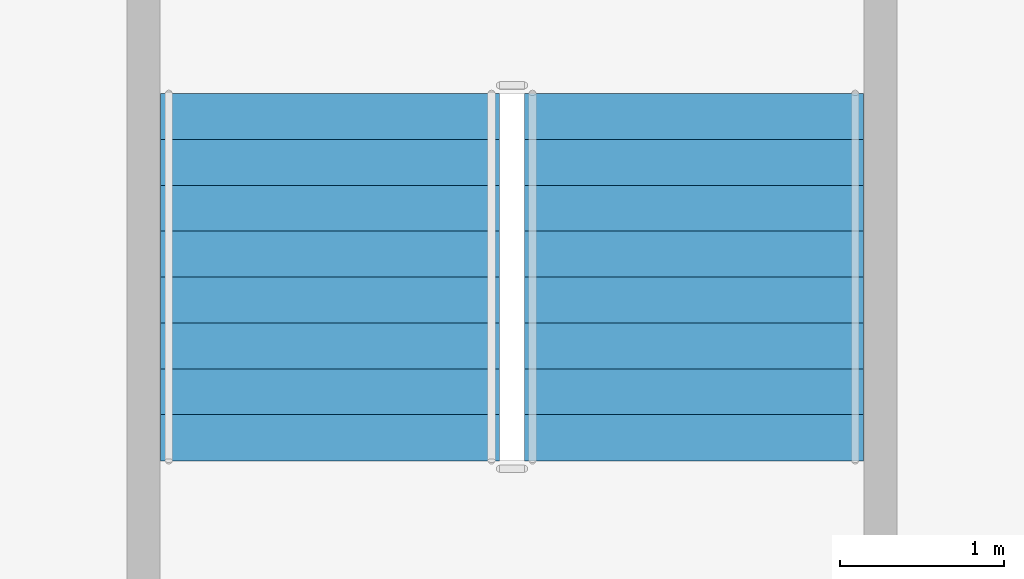
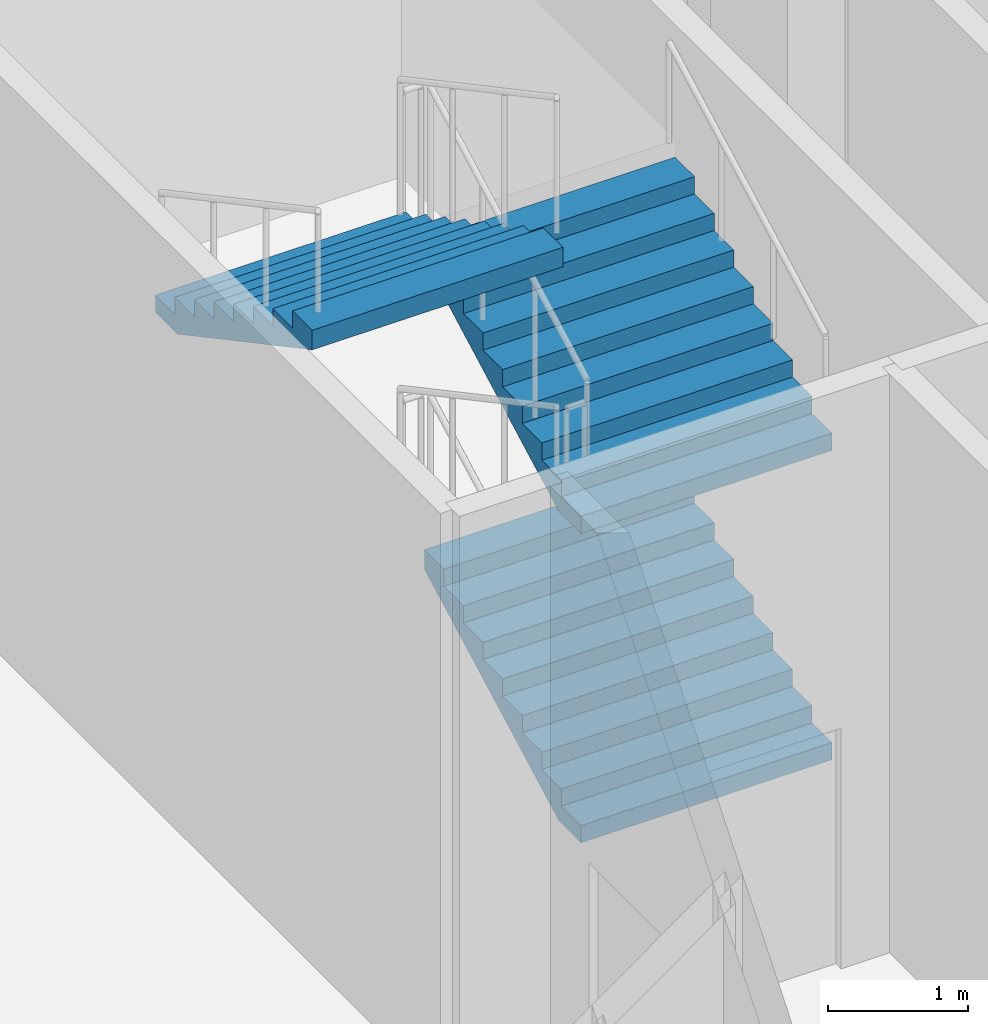
# One storey, part 13 of 27: 3 stair flights, 1 element without a shape of its own.
"""IFC4 building model written with IfcOpenShell, lengths in metres."""

from ifc_helpers import new_model, si_unit, direction, frame, origin, place, context, subcontext, project, spatial, polygons, material, type_object, element, aggregate, save


model = new_model("IFC4")

# Units and contexts
model_context = context("Model", 3, precision=1e-05, world=origin(), true_north=direction((0.0, 1.0)))
body_context = subcontext(model_context, "Body", "Model", "MODEL_VIEW")
ifc_project = project(units=[si_unit("LENGTHUNIT", "METRE"), si_unit("AREAUNIT", "SQUARE_METRE"), si_unit("VOLUMEUNIT", "CUBIC_METRE"), si_unit("PLANEANGLEUNIT", "RADIAN"), si_unit("MASSUNIT", "GRAM", prefix="KILO")], contexts=[model_context])

# Site, building, storey
site_placement = place(None, origin())
site = spatial("IfcSite", under=ifc_project, at=site_placement, CompositionType="ELEMENT")
building_placement = place(site_placement, origin())
building = spatial("IfcBuilding", under=site, at=building_placement, Name="Caravel Reach Hotel and Residences", CompositionType="ELEMENT")
storey_placement = place(building_placement, frame((0.0, 0.0, 6.60009765625)))
storey = spatial("IfcBuildingStorey", under=building, at=storey_placement, Name="L01", CompositionType="ELEMENT", Elevation=6.60009765625)

# Stair, stair flights
ifc_material_1 = material(Name="Concrete C40", Category="concrete")
stair_type = type_object("IfcStairType", Name="Core stair", PredefinedType="HALF_TURN_STAIR", material=ifc_material_1)
stair_placement = place(storey_placement, origin())
stair = element("IfcStair", 1, at=stair_placement, inside=storey, type_object=stair_type, Name="L01 Exit stair P4", PredefinedType="HALF_TURN_STAIR")
ifc_material_2 = material(Name="Concrete C40", Category="concrete")
stair_flight_type = type_object("IfcStairFlightType", Name="Core stair flight", PredefinedType="STRAIGHT", material=ifc_material_2)
stair_flight_1_placement = place(storey_placement, frame((55.110107421875, 13.68994140625, 0.0), z_axis=(0.0, 0.0, 1.0), x_axis=(0.0, 1.0, 0.0)))
stair_flight_1 = element("IfcStairFlight", 2, at=stair_flight_1_placement, type_object=stair_flight_type, Name="ST-P4 flight 1", NumberOfRisers=9, NumberOfTreads=8, PredefinedType="STRAIGHT", RiserHeight=0.15, TreadLength=0.28, context=body_context, shape_type="Tessellation", body=[
    polygons([(0.3174408016601864, 1.0350341796875, 0.0), (0.3174408016601864, 0.6900227864583333, 0.0), (0.3174408016601864, 0.34501139322916663, 0.0), (0.3174408016601864, 0.0, 0.0), (0.3174408016601864, -0.34501139322916674, 0.0), (0.3174408016601864, -0.6900227864583333, 0.0), (0.3174408016601864, -1.0350341796875, 0.0), (2.241, 1.0350341796875, 1.029942427682043), (2.241, 0.6900227864583333, 1.029942427682043), (2.241, 0.34501139322916663, 1.029942427682043), (2.241, 0.0, 1.029942427682043), (2.241, -0.34501139322916674, 1.029942427682043), (2.241, -0.6900227864583333, 1.029942427682043), (2.241, -1.0350341796875, 1.029942427682043), (2.241, 1.0350341796875, 1.2), (2.241, 0.6900227864583333, 1.2), (2.241, 0.34501139322916663, 1.2), (2.241, 0.0, 1.2), (2.241, -0.34501139322916674, 1.2), (2.241, -0.6900227864583333, 1.2), (2.241, -1.0350341796875, 1.2), (1.9600000000000002, 1.0350341796875, 1.2), (1.9600000000000002, 0.6900227864583333, 1.2), (1.9600000000000002, 0.34501139322916663, 1.2), (1.9600000000000002, 0.0, 1.2), (1.9600000000000002, -0.34501139322916674, 1.2), (1.9600000000000002, -0.6900227864583333, 1.2), (1.9600000000000002, -1.0350341796875, 1.2), (1.9600000000000002, 1.0350341796875, 1.05), (1.9600000000000002, 0.6900227864583333, 1.05), (1.9600000000000002, 0.34501139322916663, 1.05), (1.9600000000000002, 0.0, 1.05), (1.9600000000000002, -0.34501139322916674, 1.05), (1.9600000000000002, -0.6900227864583333, 1.05), (1.9600000000000002, -1.0350341796875, 1.05), (1.6800000000000002, 1.0350341796875, 1.05), (1.6800000000000002, 0.6900227864583333, 1.05), (1.6800000000000002, 0.34501139322916663, 1.05), (1.6800000000000002, 0.0, 1.05), (1.6800000000000002, -0.34501139322916674, 1.05), (1.6800000000000002, -0.6900227864583333, 1.05), (1.6800000000000002, -1.0350341796875, 1.05), (1.6800000000000002, 1.0350341796875, 0.8999999999999999), (1.6800000000000002, 0.6900227864583333, 0.8999999999999999), (1.6800000000000002, 0.34501139322916663, 0.8999999999999999), (1.6800000000000002, 0.0, 0.8999999999999999), (1.6800000000000002, -0.34501139322916674, 0.8999999999999999), (1.6800000000000002, -0.6900227864583333, 0.8999999999999999), (1.6800000000000002, -1.0350341796875, 0.8999999999999999), (1.4000000000000001, 1.0350341796875, 0.8999999999999999), (1.4000000000000001, 0.6900227864583333, 0.8999999999999999), (1.4000000000000001, 0.34501139322916663, 0.8999999999999999), (1.4000000000000001, 0.0, 0.8999999999999999), (1.4000000000000001, -0.34501139322916674, 0.8999999999999999), (1.4000000000000001, -0.6900227864583333, 0.8999999999999999), (1.4000000000000001, -1.0350341796875, 0.8999999999999999), (1.4000000000000001, 1.0350341796875, 0.75), (1.4000000000000001, 0.6900227864583333, 0.75), (1.4000000000000001, 0.34501139322916663, 0.75), (1.4000000000000001, 0.0, 0.75), (1.4000000000000001, -0.34501139322916674, 0.75), (1.4000000000000001, -0.6900227864583333, 0.75), (1.4000000000000001, -1.0350341796875, 0.75), (1.12, 1.0350341796875, 0.75), (1.12, 0.6900227864583333, 0.75), (1.12, 0.34501139322916663, 0.75), (1.12, 0.0, 0.75), (1.12, -0.34501139322916674, 0.75), (1.12, -0.6900227864583333, 0.75), (1.12, -1.0350341796875, 0.75), (1.12, 1.0350341796875, 0.6), (1.12, 0.6900227864583333, 0.6), (1.12, 0.34501139322916663, 0.6), (1.12, 0.0, 0.6), (1.12, -0.34501139322916674, 0.6), (1.12, -0.6900227864583333, 0.6), (1.12, -1.0350341796875, 0.6), (0.8400000000000001, 1.0350341796875, 0.6), (0.8400000000000001, 0.6900227864583333, 0.6), (0.8400000000000001, 0.34501139322916663, 0.6), (0.8400000000000001, 0.0, 0.6), (0.8400000000000001, -0.34501139322916674, 0.6), (0.8400000000000001, -0.6900227864583333, 0.6), (0.8400000000000001, -1.0350341796875, 0.6), (0.8400000000000001, 1.0350341796875, 0.44999999999999996), (0.8400000000000001, 0.6900227864583333, 0.44999999999999996), (0.8400000000000001, 0.34501139322916663, 0.44999999999999996), (0.8400000000000001, 0.0, 0.44999999999999996), (0.8400000000000001, -0.34501139322916674, 0.44999999999999996), (0.8400000000000001, -0.6900227864583333, 0.44999999999999996), (0.8400000000000001, -1.0350341796875, 0.44999999999999996), (0.56, 1.0350341796875, 0.44999999999999996), (0.56, 0.6900227864583333, 0.44999999999999996), (0.56, 0.34501139322916663, 0.44999999999999996), (0.56, 0.0, 0.44999999999999996), (0.56, -0.34501139322916674, 0.44999999999999996), (0.56, -0.6900227864583333, 0.44999999999999996), (0.56, -1.0350341796875, 0.44999999999999996), (0.56, 1.0350341796875, 0.3), (0.56, 0.6900227864583333, 0.3), (0.56, 0.34501139322916663, 0.3), (0.56, 0.0, 0.3), (0.56, -0.34501139322916674, 0.3), (0.56, -0.6900227864583333, 0.3), (0.56, -1.0350341796875, 0.3), (0.28, 1.0350341796875, 0.3), (0.28, 0.6900227864583333, 0.3), (0.28, 0.34501139322916663, 0.3), (0.28, 0.0, 0.3), (0.28, -0.34501139322916674, 0.3), (0.28, -0.6900227864583333, 0.3), (0.28, -1.0350341796875, 0.3), (0.28, 1.0350341796875, 0.15), (0.28, 0.6900227864583333, 0.15), (0.28, 0.34501139322916663, 0.15), (0.28, 0.0, 0.15), (0.28, -0.34501139322916674, 0.15), (0.28, -0.6900227864583333, 0.15), (0.28, -1.0350341796875, 0.15), (-0.001, 1.0350341796875, 0.15), (-0.001, 0.6900227864583333, 0.15), (-0.001, 0.34501139322916663, 0.15), (-0.001, 0.0, 0.15), (-0.001, -0.34501139322916674, 0.15), (-0.001, -0.6900227864583333, 0.15), (-0.001, -1.0350341796875, 0.15), (-0.001, 1.0350341796875, 0.0), (-0.001, 0.6900227864583333, 0.0), (-0.001, 0.34501139322916663, 0.0), (-0.001, 0.0, 0.0), (-0.001, -0.34501139322916674, 0.0), (-0.001, -0.6900227864583333, 0.0), (-0.001, -1.0350341796875, 0.0)], [[[127, 120, 113, 106, 99, 92, 85, 78, 71, 64, 57, 50, 43, 36, 29, 22, 15, 8, 1]], [[7, 14, 21, 28, 35, 42, 49, 56, 63, 70, 77, 84, 91, 98, 105, 112, 119, 126, 133]], [[1, 8, 9, 2]], [[2, 9, 10, 3]], [[3, 10, 11, 4]], [[4, 11, 12, 5]], [[5, 12, 13, 6]], [[6, 13, 14, 7]], [[8, 15, 16, 9]], [[9, 16, 17, 10]], [[10, 17, 18, 11]], [[11, 18, 19, 12]], [[12, 19, 20, 13]], [[13, 20, 21, 14]], [[15, 22, 23, 16]], [[16, 23, 24, 17]], [[17, 24, 25, 18]], [[18, 25, 26, 19]], [[19, 26, 27, 20]], [[20, 27, 28, 21]], [[22, 29, 30, 23]], [[23, 30, 31, 24]], [[24, 31, 32, 25]], [[25, 32, 33, 26]], [[26, 33, 34, 27]], [[27, 34, 35, 28]], [[29, 36, 37, 30]], [[30, 37, 38, 31]], [[31, 38, 39, 32]], [[32, 39, 40, 33]], [[33, 40, 41, 34]], [[34, 41, 42, 35]], [[36, 43, 44, 37]], [[37, 44, 45, 38]], [[38, 45, 46, 39]], [[39, 46, 47, 40]], [[40, 47, 48, 41]], [[41, 48, 49, 42]], [[43, 50, 51, 44]], [[44, 51, 52, 45]], [[45, 52, 53, 46]], [[46, 53, 54, 47]], [[47, 54, 55, 48]], [[48, 55, 56, 49]], [[50, 57, 58, 51]], [[51, 58, 59, 52]], [[52, 59, 60, 53]], [[53, 60, 61, 54]], [[54, 61, 62, 55]], [[55, 62, 63, 56]], [[57, 64, 65, 58]], [[58, 65, 66, 59]], [[59, 66, 67, 60]], [[60, 67, 68, 61]], [[61, 68, 69, 62]], [[62, 69, 70, 63]], [[64, 71, 72, 65]], [[65, 72, 73, 66]], [[66, 73, 74, 67]], [[67, 74, 75, 68]], [[68, 75, 76, 69]], [[69, 76, 77, 70]], [[71, 78, 79, 72]], [[72, 79, 80, 73]], [[73, 80, 81, 74]], [[74, 81, 82, 75]], [[75, 82, 83, 76]], [[76, 83, 84, 77]], [[78, 85, 86, 79]], [[79, 86, 87, 80]], [[80, 87, 88, 81]], [[81, 88, 89, 82]], [[82, 89, 90, 83]], [[83, 90, 91, 84]], [[85, 92, 93, 86]], [[86, 93, 94, 87]], [[87, 94, 95, 88]], [[88, 95, 96, 89]], [[89, 96, 97, 90]], [[90, 97, 98, 91]], [[92, 99, 100, 93]], [[93, 100, 101, 94]], [[94, 101, 102, 95]], [[95, 102, 103, 96]], [[96, 103, 104, 97]], [[97, 104, 105, 98]], [[99, 106, 107, 100]], [[100, 107, 108, 101]], [[101, 108, 109, 102]], [[102, 109, 110, 103]], [[103, 110, 111, 104]], [[104, 111, 112, 105]], [[106, 113, 114, 107]], [[107, 114, 115, 108]], [[108, 115, 116, 109]], [[109, 116, 117, 110]], [[110, 117, 118, 111]], [[111, 118, 119, 112]], [[113, 120, 121, 114]], [[114, 121, 122, 115]], [[115, 122, 123, 116]], [[116, 123, 124, 117]], [[117, 124, 125, 118]], [[118, 125, 126, 119]], [[120, 127, 128, 121]], [[121, 128, 129, 122]], [[122, 129, 130, 123]], [[123, 130, 131, 124]], [[124, 131, 132, 125]], [[125, 132, 133, 126]], [[127, 1, 2, 128]], [[128, 2, 3, 129]], [[129, 3, 4, 130]], [[130, 4, 5, 131]], [[131, 5, 6, 132]], [[132, 6, 7, 133]]], closed=True),
])
stair_flight_2_placement = place(storey_placement, frame((55.110107421875, 13.68994140625, 2.699951171875), z_axis=(0.0, 0.0, 1.0), x_axis=(0.0, 1.0, 0.0)))
stair_flight_2 = element("IfcStairFlight", 3, at=stair_flight_2_placement, type_object=stair_flight_type, Name="ST-P4 flight 3", NumberOfRisers=9, NumberOfTreads=8, PredefinedType="STRAIGHT", RiserHeight=0.15, TreadLength=0.28, context=body_context, shape_type="Tessellation", body=[
    polygons([(0.3174408016601864, 1.0350341796875, 0.0), (0.3174408016601864, 0.6900227864583333, 0.0), (0.3174408016601864, 0.34501139322916663, 0.0), (0.3174408016601864, 0.0, 0.0), (0.3174408016601864, -0.34501139322916674, 0.0), (0.3174408016601864, -0.6900227864583333, 0.0), (0.3174408016601864, -1.0350341796875, 0.0), (2.241, 1.0350341796875, 1.029942427682043), (2.241, 0.6900227864583333, 1.029942427682043), (2.241, 0.34501139322916663, 1.029942427682043), (2.241, 0.0, 1.029942427682043), (2.241, -0.34501139322916674, 1.029942427682043), (2.241, -0.6900227864583333, 1.029942427682043), (2.241, -1.0350341796875, 1.029942427682043), (2.241, 1.0350341796875, 1.2), (2.241, 0.6900227864583333, 1.2), (2.241, 0.34501139322916663, 1.2), (2.241, 0.0, 1.2), (2.241, -0.34501139322916674, 1.2), (2.241, -0.6900227864583333, 1.2), (2.241, -1.0350341796875, 1.2), (1.9600000000000002, 1.0350341796875, 1.2), (1.9600000000000002, 0.6900227864583333, 1.2), (1.9600000000000002, 0.34501139322916663, 1.2), (1.9600000000000002, 0.0, 1.2), (1.9600000000000002, -0.34501139322916674, 1.2), (1.9600000000000002, -0.6900227864583333, 1.2), (1.9600000000000002, -1.0350341796875, 1.2), (1.9600000000000002, 1.0350341796875, 1.05), (1.9600000000000002, 0.6900227864583333, 1.05), (1.9600000000000002, 0.34501139322916663, 1.05), (1.9600000000000002, 0.0, 1.05), (1.9600000000000002, -0.34501139322916674, 1.05), (1.9600000000000002, -0.6900227864583333, 1.05), (1.9600000000000002, -1.0350341796875, 1.05), (1.6800000000000002, 1.0350341796875, 1.05), (1.6800000000000002, 0.6900227864583333, 1.05), (1.6800000000000002, 0.34501139322916663, 1.05), (1.6800000000000002, 0.0, 1.05), (1.6800000000000002, -0.34501139322916674, 1.05), (1.6800000000000002, -0.6900227864583333, 1.05), (1.6800000000000002, -1.0350341796875, 1.05), (1.6800000000000002, 1.0350341796875, 0.8999999999999999), (1.6800000000000002, 0.6900227864583333, 0.8999999999999999), (1.6800000000000002, 0.34501139322916663, 0.8999999999999999), (1.6800000000000002, 0.0, 0.8999999999999999), (1.6800000000000002, -0.34501139322916674, 0.8999999999999999), (1.6800000000000002, -0.6900227864583333, 0.8999999999999999), (1.6800000000000002, -1.0350341796875, 0.8999999999999999), (1.4000000000000001, 1.0350341796875, 0.8999999999999999), (1.4000000000000001, 0.6900227864583333, 0.8999999999999999), (1.4000000000000001, 0.34501139322916663, 0.8999999999999999), (1.4000000000000001, 0.0, 0.8999999999999999), (1.4000000000000001, -0.34501139322916674, 0.8999999999999999), (1.4000000000000001, -0.6900227864583333, 0.8999999999999999), (1.4000000000000001, -1.0350341796875, 0.8999999999999999), (1.4000000000000001, 1.0350341796875, 0.75), (1.4000000000000001, 0.6900227864583333, 0.75), (1.4000000000000001, 0.34501139322916663, 0.75), (1.4000000000000001, 0.0, 0.75), (1.4000000000000001, -0.34501139322916674, 0.75), (1.4000000000000001, -0.6900227864583333, 0.75), (1.4000000000000001, -1.0350341796875, 0.75), (1.12, 1.0350341796875, 0.75), (1.12, 0.6900227864583333, 0.75), (1.12, 0.34501139322916663, 0.75), (1.12, 0.0, 0.75), (1.12, -0.34501139322916674, 0.75), (1.12, -0.6900227864583333, 0.75), (1.12, -1.0350341796875, 0.75), (1.12, 1.0350341796875, 0.6), (1.12, 0.6900227864583333, 0.6), (1.12, 0.34501139322916663, 0.6), (1.12, 0.0, 0.6), (1.12, -0.34501139322916674, 0.6), (1.12, -0.6900227864583333, 0.6), (1.12, -1.0350341796875, 0.6), (0.8400000000000001, 1.0350341796875, 0.6), (0.8400000000000001, 0.6900227864583333, 0.6), (0.8400000000000001, 0.34501139322916663, 0.6), (0.8400000000000001, 0.0, 0.6), (0.8400000000000001, -0.34501139322916674, 0.6), (0.8400000000000001, -0.6900227864583333, 0.6), (0.8400000000000001, -1.0350341796875, 0.6), (0.8400000000000001, 1.0350341796875, 0.44999999999999996), (0.8400000000000001, 0.6900227864583333, 0.44999999999999996), (0.8400000000000001, 0.34501139322916663, 0.44999999999999996), (0.8400000000000001, 0.0, 0.44999999999999996), (0.8400000000000001, -0.34501139322916674, 0.44999999999999996), (0.8400000000000001, -0.6900227864583333, 0.44999999999999996), (0.8400000000000001, -1.0350341796875, 0.44999999999999996), (0.56, 1.0350341796875, 0.44999999999999996), (0.56, 0.6900227864583333, 0.44999999999999996), (0.56, 0.34501139322916663, 0.44999999999999996), (0.56, 0.0, 0.44999999999999996), (0.56, -0.34501139322916674, 0.44999999999999996), (0.56, -0.6900227864583333, 0.44999999999999996), (0.56, -1.0350341796875, 0.44999999999999996), (0.56, 1.0350341796875, 0.3), (0.56, 0.6900227864583333, 0.3), (0.56, 0.34501139322916663, 0.3), (0.56, 0.0, 0.3), (0.56, -0.34501139322916674, 0.3), (0.56, -0.6900227864583333, 0.3), (0.56, -1.0350341796875, 0.3), (0.28, 1.0350341796875, 0.3), (0.28, 0.6900227864583333, 0.3), (0.28, 0.34501139322916663, 0.3), (0.28, 0.0, 0.3), (0.28, -0.34501139322916674, 0.3), (0.28, -0.6900227864583333, 0.3), (0.28, -1.0350341796875, 0.3), (0.28, 1.0350341796875, 0.15), (0.28, 0.6900227864583333, 0.15), (0.28, 0.34501139322916663, 0.15), (0.28, 0.0, 0.15), (0.28, -0.34501139322916674, 0.15), (0.28, -0.6900227864583333, 0.15), (0.28, -1.0350341796875, 0.15), (-0.001, 1.0350341796875, 0.15), (-0.001, 0.6900227864583333, 0.15), (-0.001, 0.34501139322916663, 0.15), (-0.001, 0.0, 0.15), (-0.001, -0.34501139322916674, 0.15), (-0.001, -0.6900227864583333, 0.15), (-0.001, -1.0350341796875, 0.15), (-0.001, 1.0350341796875, 0.0), (-0.001, 0.6900227864583333, 0.0), (-0.001, 0.34501139322916663, 0.0), (-0.001, 0.0, 0.0), (-0.001, -0.34501139322916674, 0.0), (-0.001, -0.6900227864583333, 0.0), (-0.001, -1.0350341796875, 0.0)], [[[127, 120, 113, 106, 99, 92, 85, 78, 71, 64, 57, 50, 43, 36, 29, 22, 15, 8, 1]], [[7, 14, 21, 28, 35, 42, 49, 56, 63, 70, 77, 84, 91, 98, 105, 112, 119, 126, 133]], [[1, 8, 9, 2]], [[2, 9, 10, 3]], [[3, 10, 11, 4]], [[4, 11, 12, 5]], [[5, 12, 13, 6]], [[6, 13, 14, 7]], [[8, 15, 16, 9]], [[9, 16, 17, 10]], [[10, 17, 18, 11]], [[11, 18, 19, 12]], [[12, 19, 20, 13]], [[13, 20, 21, 14]], [[15, 22, 23, 16]], [[16, 23, 24, 17]], [[17, 24, 25, 18]], [[18, 25, 26, 19]], [[19, 26, 27, 20]], [[20, 27, 28, 21]], [[22, 29, 30, 23]], [[23, 30, 31, 24]], [[24, 31, 32, 25]], [[25, 32, 33, 26]], [[26, 33, 34, 27]], [[27, 34, 35, 28]], [[29, 36, 37, 30]], [[30, 37, 38, 31]], [[31, 38, 39, 32]], [[32, 39, 40, 33]], [[33, 40, 41, 34]], [[34, 41, 42, 35]], [[36, 43, 44, 37]], [[37, 44, 45, 38]], [[38, 45, 46, 39]], [[39, 46, 47, 40]], [[40, 47, 48, 41]], [[41, 48, 49, 42]], [[43, 50, 51, 44]], [[44, 51, 52, 45]], [[45, 52, 53, 46]], [[46, 53, 54, 47]], [[47, 54, 55, 48]], [[48, 55, 56, 49]], [[50, 57, 58, 51]], [[51, 58, 59, 52]], [[52, 59, 60, 53]], [[53, 60, 61, 54]], [[54, 61, 62, 55]], [[55, 62, 63, 56]], [[57, 64, 65, 58]], [[58, 65, 66, 59]], [[59, 66, 67, 60]], [[60, 67, 68, 61]], [[61, 68, 69, 62]], [[62, 69, 70, 63]], [[64, 71, 72, 65]], [[65, 72, 73, 66]], [[66, 73, 74, 67]], [[67, 74, 75, 68]], [[68, 75, 76, 69]], [[69, 76, 77, 70]], [[71, 78, 79, 72]], [[72, 79, 80, 73]], [[73, 80, 81, 74]], [[74, 81, 82, 75]], [[75, 82, 83, 76]], [[76, 83, 84, 77]], [[78, 85, 86, 79]], [[79, 86, 87, 80]], [[80, 87, 88, 81]], [[81, 88, 89, 82]], [[82, 89, 90, 83]], [[83, 90, 91, 84]], [[85, 92, 93, 86]], [[86, 93, 94, 87]], [[87, 94, 95, 88]], [[88, 95, 96, 89]], [[89, 96, 97, 90]], [[90, 97, 98, 91]], [[92, 99, 100, 93]], [[93, 100, 101, 94]], [[94, 101, 102, 95]], [[95, 102, 103, 96]], [[96, 103, 104, 97]], [[97, 104, 105, 98]], [[99, 106, 107, 100]], [[100, 107, 108, 101]], [[101, 108, 109, 102]], [[102, 109, 110, 103]], [[103, 110, 111, 104]], [[104, 111, 112, 105]], [[106, 113, 114, 107]], [[107, 114, 115, 108]], [[108, 115, 116, 109]], [[109, 116, 117, 110]], [[110, 117, 118, 111]], [[111, 118, 119, 112]], [[113, 120, 121, 114]], [[114, 121, 122, 115]], [[115, 122, 123, 116]], [[116, 123, 124, 117]], [[117, 124, 125, 118]], [[118, 125, 126, 119]], [[120, 127, 128, 121]], [[121, 128, 129, 122]], [[122, 129, 130, 123]], [[123, 130, 131, 124]], [[124, 131, 132, 125]], [[125, 132, 133, 126]], [[127, 1, 2, 128]], [[128, 2, 3, 129]], [[129, 3, 4, 130]], [[130, 4, 5, 131]], [[131, 5, 6, 132]], [[132, 6, 7, 133]]], closed=True),
])
stair_flight_3_placement = place(storey_placement, frame((52.889892578125, 15.929931640625, 4.0498046875), z_axis=(0.0, 0.0, 1.0), x_axis=(0.0, -1.0, 0.0)))
stair_flight_3 = element("IfcStairFlight", 4, at=stair_flight_3_placement, type_object=stair_flight_type, Name="ST-P4 flight 4", NumberOfRisers=9, NumberOfTreads=8, PredefinedType="STRAIGHT", RiserHeight=0.15, TreadLength=0.28, context=body_context, shape_type="Tessellation", body=[
    polygons([(0.3174408016601864, 1.0350341796875, 0.0), (0.3174408016601864, 0.6900227864583333, 0.0), (0.3174408016601864, 0.34501139322916663, 0.0), (0.3174408016601864, 0.0, 0.0), (0.3174408016601864, -0.34501139322916674, 0.0), (0.3174408016601864, -0.6900227864583333, 0.0), (0.3174408016601864, -1.0350341796875, 0.0), (2.241, 1.0350341796875, 1.029942427682043), (2.241, 0.6900227864583333, 1.029942427682043), (2.241, 0.34501139322916663, 1.029942427682043), (2.241, 0.0, 1.029942427682043), (2.241, -0.34501139322916674, 1.029942427682043), (2.241, -0.6900227864583333, 1.029942427682043), (2.241, -1.0350341796875, 1.029942427682043), (2.241, 1.0350341796875, 1.2), (2.241, 0.6900227864583333, 1.2), (2.241, 0.34501139322916663, 1.2), (2.241, 0.0, 1.2), (2.241, -0.34501139322916674, 1.2), (2.241, -0.6900227864583333, 1.2), (2.241, -1.0350341796875, 1.2), (1.9600000000000002, 1.0350341796875, 1.2), (1.9600000000000002, 0.6900227864583333, 1.2), (1.9600000000000002, 0.34501139322916663, 1.2), (1.9600000000000002, 0.0, 1.2), (1.9600000000000002, -0.34501139322916674, 1.2), (1.9600000000000002, -0.6900227864583333, 1.2), (1.9600000000000002, -1.0350341796875, 1.2), (1.9600000000000002, 1.0350341796875, 1.05), (1.9600000000000002, 0.6900227864583333, 1.05), (1.9600000000000002, 0.34501139322916663, 1.05), (1.9600000000000002, 0.0, 1.05), (1.9600000000000002, -0.34501139322916674, 1.05), (1.9600000000000002, -0.6900227864583333, 1.05), (1.9600000000000002, -1.0350341796875, 1.05), (1.6800000000000002, 1.0350341796875, 1.05), (1.6800000000000002, 0.6900227864583333, 1.05), (1.6800000000000002, 0.34501139322916663, 1.05), (1.6800000000000002, 0.0, 1.05), (1.6800000000000002, -0.34501139322916674, 1.05), (1.6800000000000002, -0.6900227864583333, 1.05), (1.6800000000000002, -1.0350341796875, 1.05), (1.6800000000000002, 1.0350341796875, 0.8999999999999999), (1.6800000000000002, 0.6900227864583333, 0.8999999999999999), (1.6800000000000002, 0.34501139322916663, 0.8999999999999999), (1.6800000000000002, 0.0, 0.8999999999999999), (1.6800000000000002, -0.34501139322916674, 0.8999999999999999), (1.6800000000000002, -0.6900227864583333, 0.8999999999999999), (1.6800000000000002, -1.0350341796875, 0.8999999999999999), (1.4000000000000001, 1.0350341796875, 0.8999999999999999), (1.4000000000000001, 0.6900227864583333, 0.8999999999999999), (1.4000000000000001, 0.34501139322916663, 0.8999999999999999), (1.4000000000000001, 0.0, 0.8999999999999999), (1.4000000000000001, -0.34501139322916674, 0.8999999999999999), (1.4000000000000001, -0.6900227864583333, 0.8999999999999999), (1.4000000000000001, -1.0350341796875, 0.8999999999999999), (1.4000000000000001, 1.0350341796875, 0.75), (1.4000000000000001, 0.6900227864583333, 0.75), (1.4000000000000001, 0.34501139322916663, 0.75), (1.4000000000000001, 0.0, 0.75), (1.4000000000000001, -0.34501139322916674, 0.75), (1.4000000000000001, -0.6900227864583333, 0.75), (1.4000000000000001, -1.0350341796875, 0.75), (1.12, 1.0350341796875, 0.75), (1.12, 0.6900227864583333, 0.75), (1.12, 0.34501139322916663, 0.75), (1.12, 0.0, 0.75), (1.12, -0.34501139322916674, 0.75), (1.12, -0.6900227864583333, 0.75), (1.12, -1.0350341796875, 0.75), (1.12, 1.0350341796875, 0.6), (1.12, 0.6900227864583333, 0.6), (1.12, 0.34501139322916663, 0.6), (1.12, 0.0, 0.6), (1.12, -0.34501139322916674, 0.6), (1.12, -0.6900227864583333, 0.6), (1.12, -1.0350341796875, 0.6), (0.8400000000000001, 1.0350341796875, 0.6), (0.8400000000000001, 0.6900227864583333, 0.6), (0.8400000000000001, 0.34501139322916663, 0.6), (0.8400000000000001, 0.0, 0.6), (0.8400000000000001, -0.34501139322916674, 0.6), (0.8400000000000001, -0.6900227864583333, 0.6), (0.8400000000000001, -1.0350341796875, 0.6), (0.8400000000000001, 1.0350341796875, 0.44999999999999996), (0.8400000000000001, 0.6900227864583333, 0.44999999999999996), (0.8400000000000001, 0.34501139322916663, 0.44999999999999996), (0.8400000000000001, 0.0, 0.44999999999999996), (0.8400000000000001, -0.34501139322916674, 0.44999999999999996), (0.8400000000000001, -0.6900227864583333, 0.44999999999999996), (0.8400000000000001, -1.0350341796875, 0.44999999999999996), (0.56, 1.0350341796875, 0.44999999999999996), (0.56, 0.6900227864583333, 0.44999999999999996), (0.56, 0.34501139322916663, 0.44999999999999996), (0.56, 0.0, 0.44999999999999996), (0.56, -0.34501139322916674, 0.44999999999999996), (0.56, -0.6900227864583333, 0.44999999999999996), (0.56, -1.0350341796875, 0.44999999999999996), (0.56, 1.0350341796875, 0.3), (0.56, 0.6900227864583333, 0.3), (0.56, 0.34501139322916663, 0.3), (0.56, 0.0, 0.3), (0.56, -0.34501139322916674, 0.3), (0.56, -0.6900227864583333, 0.3), (0.56, -1.0350341796875, 0.3), (0.28, 1.0350341796875, 0.3), (0.28, 0.6900227864583333, 0.3), (0.28, 0.34501139322916663, 0.3), (0.28, 0.0, 0.3), (0.28, -0.34501139322916674, 0.3), (0.28, -0.6900227864583333, 0.3), (0.28, -1.0350341796875, 0.3), (0.28, 1.0350341796875, 0.15), (0.28, 0.6900227864583333, 0.15), (0.28, 0.34501139322916663, 0.15), (0.28, 0.0, 0.15), (0.28, -0.34501139322916674, 0.15), (0.28, -0.6900227864583333, 0.15), (0.28, -1.0350341796875, 0.15), (-0.001, 1.0350341796875, 0.15), (-0.001, 0.6900227864583333, 0.15), (-0.001, 0.34501139322916663, 0.15), (-0.001, 0.0, 0.15), (-0.001, -0.34501139322916674, 0.15), (-0.001, -0.6900227864583333, 0.15), (-0.001, -1.0350341796875, 0.15), (-0.001, 1.0350341796875, 0.0), (-0.001, 0.6900227864583333, 0.0), (-0.001, 0.34501139322916663, 0.0), (-0.001, 0.0, 0.0), (-0.001, -0.34501139322916674, 0.0), (-0.001, -0.6900227864583333, 0.0), (-0.001, -1.0350341796875, 0.0)], [[[127, 120, 113, 106, 99, 92, 85, 78, 71, 64, 57, 50, 43, 36, 29, 22, 15, 8, 1]], [[7, 14, 21, 28, 35, 42, 49, 56, 63, 70, 77, 84, 91, 98, 105, 112, 119, 126, 133]], [[1, 8, 9, 2]], [[2, 9, 10, 3]], [[3, 10, 11, 4]], [[4, 11, 12, 5]], [[5, 12, 13, 6]], [[6, 13, 14, 7]], [[8, 15, 16, 9]], [[9, 16, 17, 10]], [[10, 17, 18, 11]], [[11, 18, 19, 12]], [[12, 19, 20, 13]], [[13, 20, 21, 14]], [[15, 22, 23, 16]], [[16, 23, 24, 17]], [[17, 24, 25, 18]], [[18, 25, 26, 19]], [[19, 26, 27, 20]], [[20, 27, 28, 21]], [[22, 29, 30, 23]], [[23, 30, 31, 24]], [[24, 31, 32, 25]], [[25, 32, 33, 26]], [[26, 33, 34, 27]], [[27, 34, 35, 28]], [[29, 36, 37, 30]], [[30, 37, 38, 31]], [[31, 38, 39, 32]], [[32, 39, 40, 33]], [[33, 40, 41, 34]], [[34, 41, 42, 35]], [[36, 43, 44, 37]], [[37, 44, 45, 38]], [[38, 45, 46, 39]], [[39, 46, 47, 40]], [[40, 47, 48, 41]], [[41, 48, 49, 42]], [[43, 50, 51, 44]], [[44, 51, 52, 45]], [[45, 52, 53, 46]], [[46, 53, 54, 47]], [[47, 54, 55, 48]], [[48, 55, 56, 49]], [[50, 57, 58, 51]], [[51, 58, 59, 52]], [[52, 59, 60, 53]], [[53, 60, 61, 54]], [[54, 61, 62, 55]], [[55, 62, 63, 56]], [[57, 64, 65, 58]], [[58, 65, 66, 59]], [[59, 66, 67, 60]], [[60, 67, 68, 61]], [[61, 68, 69, 62]], [[62, 69, 70, 63]], [[64, 71, 72, 65]], [[65, 72, 73, 66]], [[66, 73, 74, 67]], [[67, 74, 75, 68]], [[68, 75, 76, 69]], [[69, 76, 77, 70]], [[71, 78, 79, 72]], [[72, 79, 80, 73]], [[73, 80, 81, 74]], [[74, 81, 82, 75]], [[75, 82, 83, 76]], [[76, 83, 84, 77]], [[78, 85, 86, 79]], [[79, 86, 87, 80]], [[80, 87, 88, 81]], [[81, 88, 89, 82]], [[82, 89, 90, 83]], [[83, 90, 91, 84]], [[85, 92, 93, 86]], [[86, 93, 94, 87]], [[87, 94, 95, 88]], [[88, 95, 96, 89]], [[89, 96, 97, 90]], [[90, 97, 98, 91]], [[92, 99, 100, 93]], [[93, 100, 101, 94]], [[94, 101, 102, 95]], [[95, 102, 103, 96]], [[96, 103, 104, 97]], [[97, 104, 105, 98]], [[99, 106, 107, 100]], [[100, 107, 108, 101]], [[101, 108, 109, 102]], [[102, 109, 110, 103]], [[103, 110, 111, 104]], [[104, 111, 112, 105]], [[106, 113, 114, 107]], [[107, 114, 115, 108]], [[108, 115, 116, 109]], [[109, 116, 117, 110]], [[110, 117, 118, 111]], [[111, 118, 119, 112]], [[113, 120, 121, 114]], [[114, 121, 122, 115]], [[115, 122, 123, 116]], [[116, 123, 124, 117]], [[117, 124, 125, 118]], [[118, 125, 126, 119]], [[120, 127, 128, 121]], [[121, 128, 129, 122]], [[122, 129, 130, 123]], [[123, 130, 131, 124]], [[124, 131, 132, 125]], [[125, 132, 133, 126]], [[127, 1, 2, 128]], [[128, 2, 3, 129]], [[129, 3, 4, 130]], [[130, 4, 5, 131]], [[131, 5, 6, 132]], [[132, 6, 7, 133]]], closed=True),
])
aggregate(stair, [stair_flight_1, stair_flight_2, stair_flight_3])

save(model, "model.ifc")
